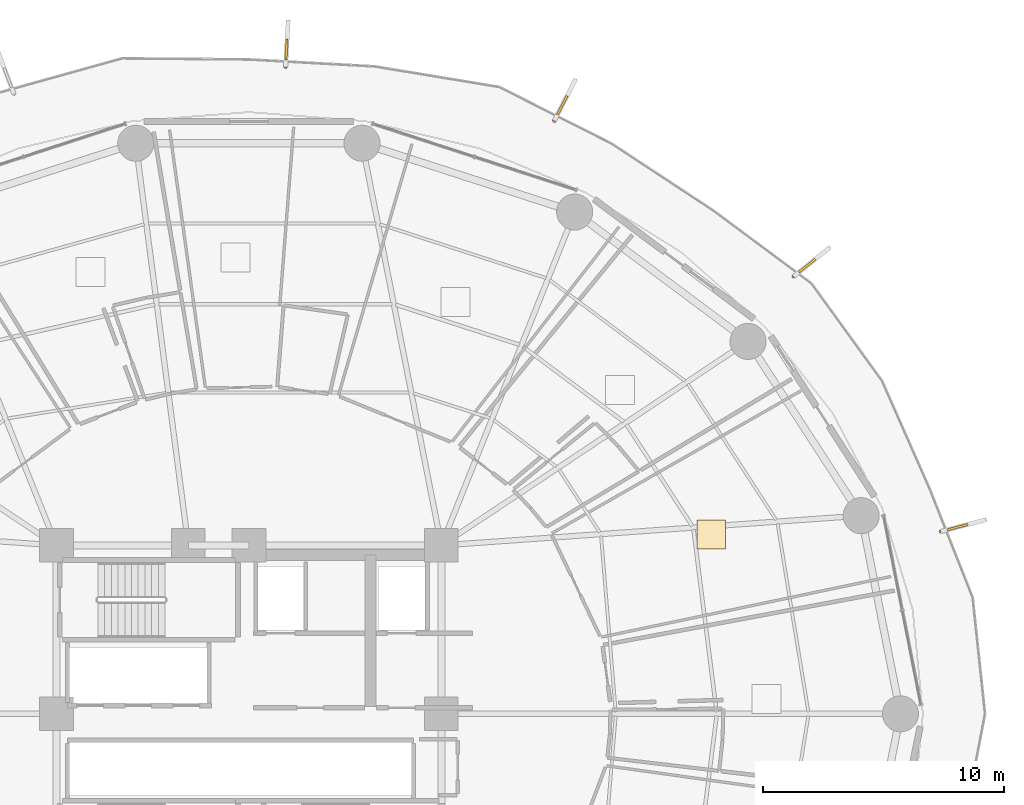
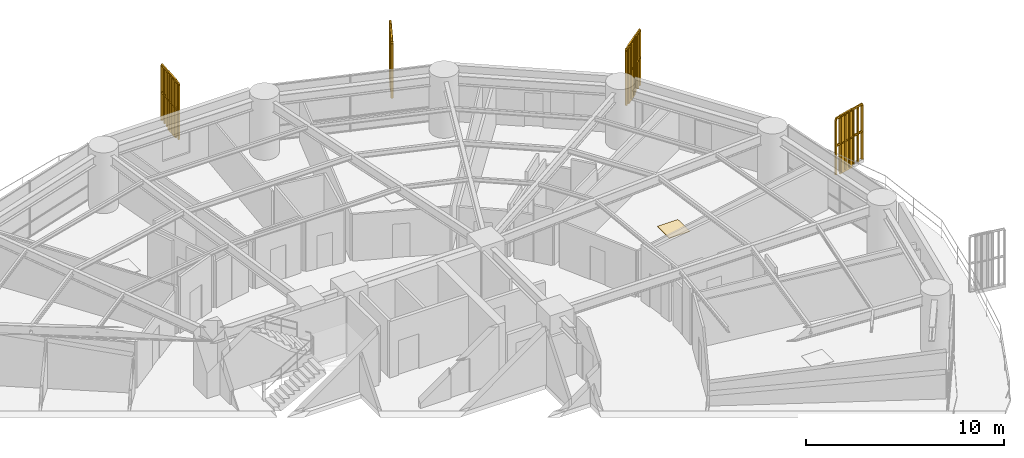
# One storey, part 33 of 33: 4 railings, 4 shading devices, 1 covering.
"""IFC4 building model written with IfcOpenShell, lengths in metres."""

from ifc_helpers import new_model, si_unit, direction, frame, origin, origin_2d, place, context, subcontext, project, spatial, polyline, rectangle, outline, extrude, source, transform, mapped, material, layer, layer_set, type_object, element, save


model = new_model("IFC4")

# Units and contexts
model_context = context("Model", 3, precision=1e-05, world=origin(), true_north=direction((0.0, 1.0)))
body_context = subcontext(model_context, "Body", "Model", "MODEL_VIEW")
ifc_project = project(units=[si_unit("LENGTHUNIT", "METRE"), si_unit("AREAUNIT", "SQUARE_METRE"), si_unit("VOLUMEUNIT", "CUBIC_METRE"), si_unit("PLANEANGLEUNIT", "RADIAN"), si_unit("MASSUNIT", "GRAM", prefix="KILO")], contexts=[model_context])

# Site, building, storey
site_placement = place(None, origin())
site = spatial("IfcSite", under=ifc_project, at=site_placement, CompositionType="ELEMENT")
building_placement = place(site_placement, origin())
building = spatial("IfcBuilding", under=site, at=building_placement, Name="Kelanora Arch Commons", CompositionType="ELEMENT")
storey_placement = place(building_placement, frame((0.0, 0.0, 37.5)))
storey = spatial("IfcBuildingStorey", under=building, at=storey_placement, Name="L09", CompositionType="ELEMENT", Elevation=37.5)

# Railings
ifc_material_1 = material(Name="Anodised bronze vertical shading fin rib assembly")
railing_type = type_object("IfcRailingType", Name="RAIL-FIN-BRZ", PredefinedType="BALUSTRADE", material=ifc_material_1)
railing_1_placement = place(storey_placement, frame((102.75732421875, 65.575439453125, -0.02001953125)))
element("IfcRailing", 1, at=railing_1_placement, inside=storey, type_object=railing_type, Name="Sweeping Bronze Vertical Fin Blade L09-00", PredefinedType="BALUSTRADE", context=body_context, shape_type="SweptSolid", body=[
    extrude(outline(polyline([(0.06982421875, 0.0), (0.034912109375, 0.060546875), (-0.034912109375, 0.060546875), (-0.06982421875, 0.0), (-0.034912109375, -0.060546875), (0.034912109375, -0.060546875), (0.06982421875, 0.0)])), frame((0.0, 0.0, 3.419921875), z_axis=(0.966993741925, 0.254800123779, 0.0), x_axis=(-0.254800123779, 0.966993741925, 0.0)), (0.0, 0.0, 1.0), 1.8798828125),
    extrude(outline(polyline([(0.06982421875, 0.0), (0.034912109375, 0.060546875), (-0.034912109375, 0.060546875), (-0.06982421875, 0.0), (-0.034912109375, -0.060546875), (0.034912109375, -0.060546875), (0.06982421875, 0.0)])), frame((0.0, 0.0, 1.7451171875), z_axis=(0.966993741925, 0.254800123779, 0.0), x_axis=(-0.254800123779, 0.966993741925, 0.0)), (0.0, 0.0, 1.0), 1.8798828125),
    extrude(outline(polyline([(0.080078125, 0.0), (0.0400390625, 0.0693359375), (-0.0400390625, 0.0693359375), (-0.080078125, 0.0), (-0.0400390625, -0.0693359375), (0.0400390625, -0.0693359375), (0.080078125, 0.0)])), origin(), (0.0, 0.0, 1.0), 3.35009765625),
    extrude(outline(polyline([(0.080078125, 0.0), (0.0400390625, 0.0693359375), (-0.0400390625, 0.0693359375), (-0.080078125, 0.0), (-0.0400390625, -0.0693359375), (0.0400390625, -0.0693359375), (0.080078125, 0.0)])), frame((0.302978515625, 0.079833984375, 0.0)), (0.0, 0.0, 1.0), 3.35009765625),
    extrude(outline(polyline([(0.080078125, 0.0), (0.0400390625, 0.0693359375), (-0.0400390625, 0.0693359375), (-0.080078125, 0.0), (-0.0400390625, -0.0693359375), (0.0400390625, -0.0693359375), (0.080078125, 0.0)])), frame((0.60595703125, 0.15966796875, 0.0)), (0.0, 0.0, 1.0), 3.35009765625),
    extrude(outline(polyline([(0.080078125, 0.0), (0.0400390625, 0.0693359375), (-0.0400390625, 0.0693359375), (-0.080078125, 0.0), (-0.0400390625, -0.0693359375), (0.0400390625, -0.0693359375), (0.080078125, 0.0)])), frame((0.908935546875, 0.239501953125, 0.0)), (0.0, 0.0, 1.0), 3.35009765625),
    extrude(outline(polyline([(0.080078125, 0.0), (0.0400390625, 0.0693359375), (-0.0400390625, 0.0693359375), (-0.080078125, 0.0), (-0.0400390625, -0.0693359375), (0.0400390625, -0.0693359375), (0.080078125, 0.0)])), frame((1.2119140625, 0.3193359375, 0.0)), (0.0, 0.0, 1.0), 3.35009765625),
    extrude(outline(polyline([(0.080078125, 0.0), (0.0400390625, 0.0693359375), (-0.0400390625, 0.0693359375), (-0.080078125, 0.0), (-0.0400390625, -0.0693359375), (0.0400390625, -0.0693359375), (0.080078125, 0.0)])), frame((1.514892578125, 0.399169921875, 0.0)), (0.0, 0.0, 1.0), 3.35009765625),
    extrude(outline(polyline([(0.080078125, 0.0), (0.0400390625, 0.0693359375), (-0.0400390625, 0.0693359375), (-0.080078125, 0.0), (-0.0400390625, -0.0693359375), (0.0400390625, -0.0693359375), (0.080078125, 0.0)])), frame((1.81787109375, 0.47900390625, 0.0)), (0.0, 0.0, 1.0), 3.35009765625),
])
railing_2_placement = place(storey_placement, frame((96.638671875, 76.1748046875, -0.02001953125)))
element("IfcRailing", 2, at=railing_2_placement, inside=storey, type_object=railing_type, Name="Sweeping Bronze Vertical Fin Blade L09-01", PredefinedType="BALUSTRADE", context=body_context, shape_type="SweptSolid", body=[
    extrude(outline(polyline([(0.06982421875, 0.0), (0.034912109375, 0.060546875), (-0.034912109375, 0.060546875), (-0.06982421875, 0.0), (-0.034912109375, -0.060546875), (0.034912109375, -0.060546875), (0.06982421875, 0.0)])), frame((0.0, 0.0, 3.419921875), z_axis=(0.779854181759, 0.625961224992, 0.0), x_axis=(-0.625961224992, 0.779854181759, 0.0)), (0.0, 0.0, 1.0), 1.8798828125),
    extrude(outline(polyline([(0.06982421875, 0.0), (0.034912109375, 0.060546875), (-0.034912109375, 0.060546875), (-0.06982421875, 0.0), (-0.034912109375, -0.060546875), (0.034912109375, -0.060546875), (0.06982421875, 0.0)])), frame((0.0, 0.0, 1.7451171875), z_axis=(0.779854181759, 0.625961224992, 0.0), x_axis=(-0.625961224992, 0.779854181759, 0.0)), (0.0, 0.0, 1.0), 1.8798828125),
    extrude(outline(polyline([(0.080078125, 0.0), (0.0400390625, 0.0693359375), (-0.0400390625, 0.0693359375), (-0.080078125, 0.0), (-0.0400390625, -0.0693359375), (0.0400390625, -0.0693359375), (0.080078125, 0.0)])), origin(), (0.0, 0.0, 1.0), 3.35009765625),
    extrude(outline(polyline([(0.080078125, 0.0), (0.0400390625, 0.0693359375), (-0.0400390625, 0.0693359375), (-0.080078125, 0.0), (-0.0400390625, -0.0693359375), (0.0400390625, -0.0693359375), (0.080078125, 0.0)])), frame((0.244384765625, 0.196044921875, 0.0)), (0.0, 0.0, 1.0), 3.35009765625),
    extrude(outline(polyline([(0.080078125, 0.0), (0.0400390625, 0.0693359375), (-0.0400390625, 0.0693359375), (-0.080078125, 0.0), (-0.0400390625, -0.0693359375), (0.0400390625, -0.0693359375), (0.080078125, 0.0)])), frame((0.48876953125, 0.392333984375, 0.0)), (0.0, 0.0, 1.0), 3.35009765625),
    extrude(outline(polyline([(0.080078125, 0.0), (0.0400390625, 0.0693359375), (-0.0400390625, 0.0693359375), (-0.080078125, 0.0), (-0.0400390625, -0.0693359375), (0.0400390625, -0.0693359375), (0.080078125, 0.0)])), frame((0.73291015625, 0.58837890625, 0.0)), (0.0, 0.0, 1.0), 3.35009765625),
    extrude(outline(polyline([(0.080078125, 0.0), (0.0400390625, 0.0693359375), (-0.0400390625, 0.0693359375), (-0.080078125, 0.0), (-0.0400390625, -0.0693359375), (0.0400390625, -0.0693359375), (0.080078125, 0.0)])), frame((0.977294921875, 0.784423828125, 0.0)), (0.0, 0.0, 1.0), 3.35009765625),
    extrude(outline(polyline([(0.080078125, 0.0), (0.0400390625, 0.0693359375), (-0.0400390625, 0.0693359375), (-0.080078125, 0.0), (-0.0400390625, -0.0693359375), (0.0400390625, -0.0693359375), (0.080078125, 0.0)])), frame((1.2216796875, 0.980712890625, 0.0)), (0.0, 0.0, 1.0), 3.35009765625),
    extrude(outline(polyline([(0.080078125, 0.0), (0.0400390625, 0.0693359375), (-0.0400390625, 0.0693359375), (-0.080078125, 0.0), (-0.0400390625, -0.0693359375), (0.0400390625, -0.0693359375), (0.080078125, 0.0)])), frame((1.466064453125, 1.1767578125, 0.0)), (0.0, 0.0, 1.0), 3.35009765625),
])
railing_3_placement = place(storey_placement, frame((86.69287109375, 82.6533203125, -0.02001953125)))
element("IfcRailing", 3, at=railing_3_placement, inside=storey, type_object=railing_type, Name="Sweeping Bronze Vertical Fin Blade L09-02", PredefinedType="BALUSTRADE", context=body_context, shape_type="SweptSolid", body=[
    extrude(outline(polyline([(0.06982421875, 0.0), (0.034912109375, 0.060546875), (-0.034912109375, 0.060546875), (-0.06982421875, 0.0), (-0.034912109375, -0.060546875), (0.034912109375, -0.060546875), (0.06982421875, 0.0)])), frame((0.0, 0.0, 3.419921875), z_axis=(0.457779310009, 0.889065859949, 0.0), x_axis=(-0.889065859949, 0.457779310009, 0.0)), (0.0, 0.0, 1.0), 1.8798828125),
    extrude(outline(polyline([(0.06982421875, 0.0), (0.034912109375, 0.060546875), (-0.034912109375, 0.060546875), (-0.06982421875, 0.0), (-0.034912109375, -0.060546875), (0.034912109375, -0.060546875), (0.06982421875, 0.0)])), frame((0.0, 0.0, 1.7451171875), z_axis=(0.457779310009, 0.889065859949, 0.0), x_axis=(-0.889065859949, 0.457779310009, 0.0)), (0.0, 0.0, 1.0), 1.8798828125),
    extrude(outline(polyline([(0.080078125, 0.0), (0.0400390625, 0.0693359375), (-0.0400390625, 0.0693359375), (-0.080078125, 0.0), (-0.0400390625, -0.0693359375), (0.0400390625, -0.0693359375), (0.080078125, 0.0)])), origin(), (0.0, 0.0, 1.0), 3.35009765625),
    extrude(outline(polyline([(0.080078125, 0.0), (0.0400390625, 0.0693359375), (-0.0400390625, 0.0693359375), (-0.080078125, 0.0), (-0.0400390625, -0.0693359375), (0.0400390625, -0.0693359375), (0.080078125, 0.0)])), frame((0.1435546875, 0.278564453125, 0.0)), (0.0, 0.0, 1.0), 3.35009765625),
    extrude(outline(polyline([(0.080078125, 0.0), (0.0400390625, 0.0693359375), (-0.0400390625, 0.0693359375), (-0.080078125, 0.0), (-0.0400390625, -0.0693359375), (0.0400390625, -0.0693359375), (0.080078125, 0.0)])), frame((0.286865234375, 0.55712890625, 0.0)), (0.0, 0.0, 1.0), 3.35009765625),
    extrude(outline(polyline([(0.080078125, 0.0), (0.0400390625, 0.0693359375), (-0.0400390625, 0.0693359375), (-0.080078125, 0.0), (-0.0400390625, -0.0693359375), (0.0400390625, -0.0693359375), (0.080078125, 0.0)])), frame((0.43017578125, 0.835693359375, 0.0)), (0.0, 0.0, 1.0), 3.35009765625),
    extrude(outline(polyline([(0.080078125, 0.0), (0.0400390625, 0.0693359375), (-0.0400390625, 0.0693359375), (-0.080078125, 0.0), (-0.0400390625, -0.0693359375), (0.0400390625, -0.0693359375), (0.080078125, 0.0)])), frame((0.57373046875, 1.1142578125, 0.0)), (0.0, 0.0, 1.0), 3.35009765625),
    extrude(outline(polyline([(0.080078125, 0.0), (0.0400390625, 0.0693359375), (-0.0400390625, 0.0693359375), (-0.080078125, 0.0), (-0.0400390625, -0.0693359375), (0.0400390625, -0.0693359375), (0.080078125, 0.0)])), frame((0.71728515625, 1.392822265625, 0.0)), (0.0, 0.0, 1.0), 3.35009765625),
    extrude(outline(polyline([(0.080078125, 0.0), (0.0400390625, 0.0693359375), (-0.0400390625, 0.0693359375), (-0.080078125, 0.0), (-0.0400390625, -0.0693359375), (0.0400390625, -0.0693359375), (0.080078125, 0.0)])), frame((0.860595703125, 1.67138671875, 0.0)), (0.0, 0.0, 1.0), 3.35009765625),
])
railing_4_placement = place(storey_placement, frame((75.523193359375, 84.890625, -0.02001953125)))
element("IfcRailing", 4, at=railing_4_placement, inside=storey, type_object=railing_type, Name="Sweeping Bronze Vertical Fin Blade L09-03", PredefinedType="BALUSTRADE", context=body_context, shape_type="SweptSolid", body=[
    extrude(outline(polyline([(0.06982421875, 0.0), (0.034912109375, 0.060546875), (-0.034912109375, 0.060546875), (-0.06982421875, 0.0), (-0.034912109375, -0.060546875), (0.034912109375, -0.060546875), (0.06982421875, 0.0)])), frame((0.0, 0.0, 3.419921875), z_axis=(0.056491329871, 0.998403089764, 0.0), x_axis=(-0.998403089764, 0.056491329871, 0.0)), (0.0, 0.0, 1.0), 1.8798828125),
    extrude(outline(polyline([(0.06982421875, 0.0), (0.034912109375, 0.060546875), (-0.034912109375, 0.060546875), (-0.06982421875, 0.0), (-0.034912109375, -0.060546875), (0.034912109375, -0.060546875), (0.06982421875, 0.0)])), frame((0.0, 0.0, 1.7451171875), z_axis=(0.056491329871, 0.998403089764, 0.0), x_axis=(-0.998403089764, 0.056491329871, 0.0)), (0.0, 0.0, 1.0), 1.8798828125),
    extrude(outline(polyline([(0.080078125, 0.0), (0.0400390625, 0.0693359375), (-0.0400390625, 0.0693359375), (-0.080078125, 0.0), (-0.0400390625, -0.0693359375), (0.0400390625, -0.0693359375), (0.080078125, 0.0)])), origin(), (0.0, 0.0, 1.0), 3.35009765625),
    extrude(outline(polyline([(0.080078125, 0.0), (0.0400390625, 0.0693359375), (-0.0400390625, 0.0693359375), (-0.080078125, 0.0), (-0.0400390625, -0.0693359375), (0.0400390625, -0.0693359375), (0.080078125, 0.0)])), frame((0.017578125, 0.312744140625, 0.0)), (0.0, 0.0, 1.0), 3.35009765625),
    extrude(outline(polyline([(0.080078125, 0.0), (0.0400390625, 0.0693359375), (-0.0400390625, 0.0693359375), (-0.080078125, 0.0), (-0.0400390625, -0.0693359375), (0.0400390625, -0.0693359375), (0.080078125, 0.0)])), frame((0.035400390625, 0.625732421875, 0.0)), (0.0, 0.0, 1.0), 3.35009765625),
    extrude(outline(polyline([(0.080078125, 0.0), (0.0400390625, 0.0693359375), (-0.0400390625, 0.0693359375), (-0.080078125, 0.0), (-0.0400390625, -0.0693359375), (0.0400390625, -0.0693359375), (0.080078125, 0.0)])), frame((0.05322265625, 0.9384765625, 0.0)), (0.0, 0.0, 1.0), 3.35009765625),
    extrude(outline(polyline([(0.080078125, 0.0), (0.0400390625, 0.0693359375), (-0.0400390625, 0.0693359375), (-0.080078125, 0.0), (-0.0400390625, -0.0693359375), (0.0400390625, -0.0693359375), (0.080078125, 0.0)])), frame((0.07080078125, 1.251220703125, 0.0)), (0.0, 0.0, 1.0), 3.35009765625),
    extrude(outline(polyline([(0.080078125, 0.0), (0.0400390625, 0.0693359375), (-0.0400390625, 0.0693359375), (-0.080078125, 0.0), (-0.0400390625, -0.0693359375), (0.0400390625, -0.0693359375), (0.080078125, 0.0)])), frame((0.08837890625, 1.564208984375, 0.0)), (0.0, 0.0, 1.0), 3.35009765625),
    extrude(outline(polyline([(0.080078125, 0.0), (0.0400390625, 0.0693359375), (-0.0400390625, 0.0693359375), (-0.080078125, 0.0), (-0.0400390625, -0.0693359375), (0.0400390625, -0.0693359375), (0.080078125, 0.0)])), frame((0.106201171875, 1.876953125, 0.0)), (0.0, 0.0, 1.0), 3.35009765625),
])

# Shading devices
ifc_material_2 = material(Name="Terracotta ceramic-clad extruded aluminium fin", Category="masonry")
shading_device_type = type_object("IfcShadingDeviceType", Name="SHD-FIN-FLARE", PredefinedType="USERDEFINED", material=ifc_material_2)
shared_shape_1 = source(origin(), body_context, "Body", "SweptSolid", [
    extrude(rectangle(XDim=0.8798828125, YDim=0.090087890625, at=origin_2d()), origin(), (0.0, 0.0, 1.0), 3.610107421875),
])
for number, where, z_axis, x_axis, name in (
    (5, (103.45361328125, 65.7587890625, -0.14013671875), (0.0, 0.0, 1.0), (0.967001487762, 0.254770725683, 0.0), "Sweeping Terracotta Fin L09-00"),
    (6, (97.2001953125, 76.62548828125, -0.14013671875), (0.0, 0.0, 1.0), (0.779775226961, 0.62605957817, 0.0), "Sweeping Terracotta Fin L09-01"),
    (7, (87.0224609375, 83.29345703125, -0.14013671875), (0.0, 0.0, 1.0), (0.457718745382, 0.889097042019, 0.0), "Sweeping Terracotta Fin L09-02"),
    (8, (75.56396484375, 85.609619140625, -0.14013671875), (0.0, 0.0, 1.0), (0.056518534482, 0.998401550109, 0.0), "Sweeping Terracotta Fin L09-03"),
):
    element("IfcShadingDevice", number, at=place(storey_placement, frame(where, z_axis=z_axis, x_axis=x_axis)), inside=storey, type_object=shading_device_type, Name=name, ObjectType="FIN", PredefinedType="USERDEFINED", context=body_context, shape_type="MappedRepresentation", body=[
        mapped(shared_shape_1, transform((0.0, 0.0, 0.0), scale=1.0)),
    ])

# Covering
ifc_material_3 = material(Name="Polished local granite terrazzo flooring", Category="masonry")
ifc_layer = layer(ifc_material_3, 0.030029296875)
ifc_layer_set = layer_set([ifc_layer], Name="Polished local granite terrazzo flooring")
covering_type = type_object("IfcCoveringType", Name="COV-FLR-TER", PredefinedType="FLOORING", material=ifc_layer_set)
shared_shape_2 = source(origin(), body_context, "Body", "SweptSolid", [
    extrude(rectangle(XDim=1.199951171875, YDim=1.199951171875, at=origin_2d()), origin(), (0.0, 0.0, 1.0), 0.030029296875),
])
covering_placement = place(storey_placement, frame((93.216552734375, 65.455078125, 0.0), z_axis=(0.0, 0.0, 1.0), x_axis=(1.0, 0.0, 0.0)))
element("IfcCovering", 9, at=covering_placement, inside=storey, type_object=covering_type, Name="Social Sky Lounge L09-05 Terrazzo Finish", PredefinedType="FLOORING", context=body_context, shape_type="MappedRepresentation", body=[
    mapped(shared_shape_2, transform((0.0, 0.0, 0.0), scale=1.0)),
])

save(model, "model.ifc")
